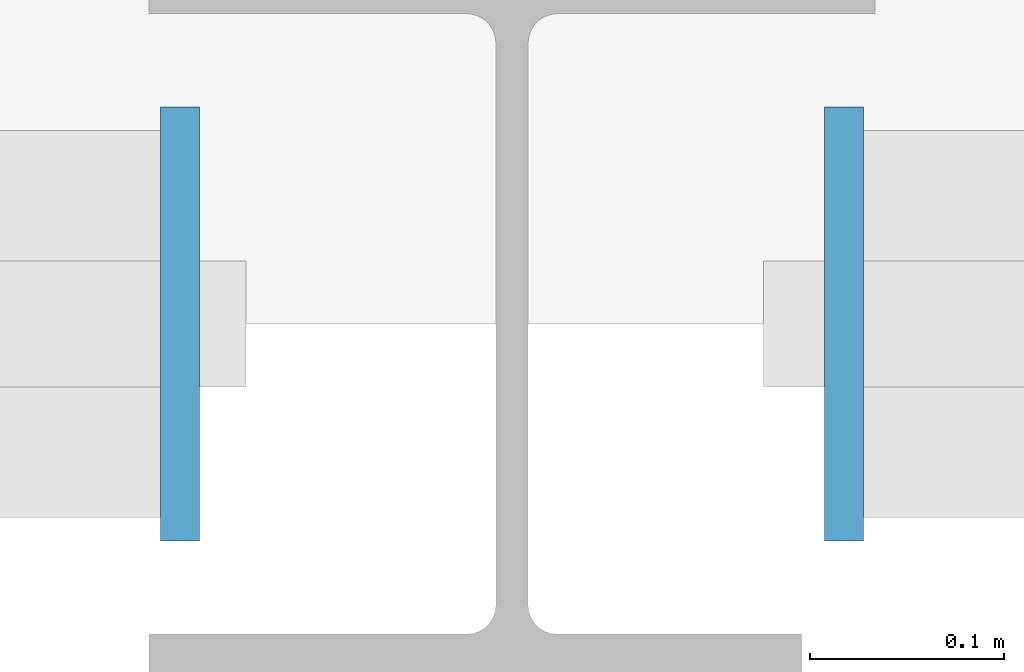
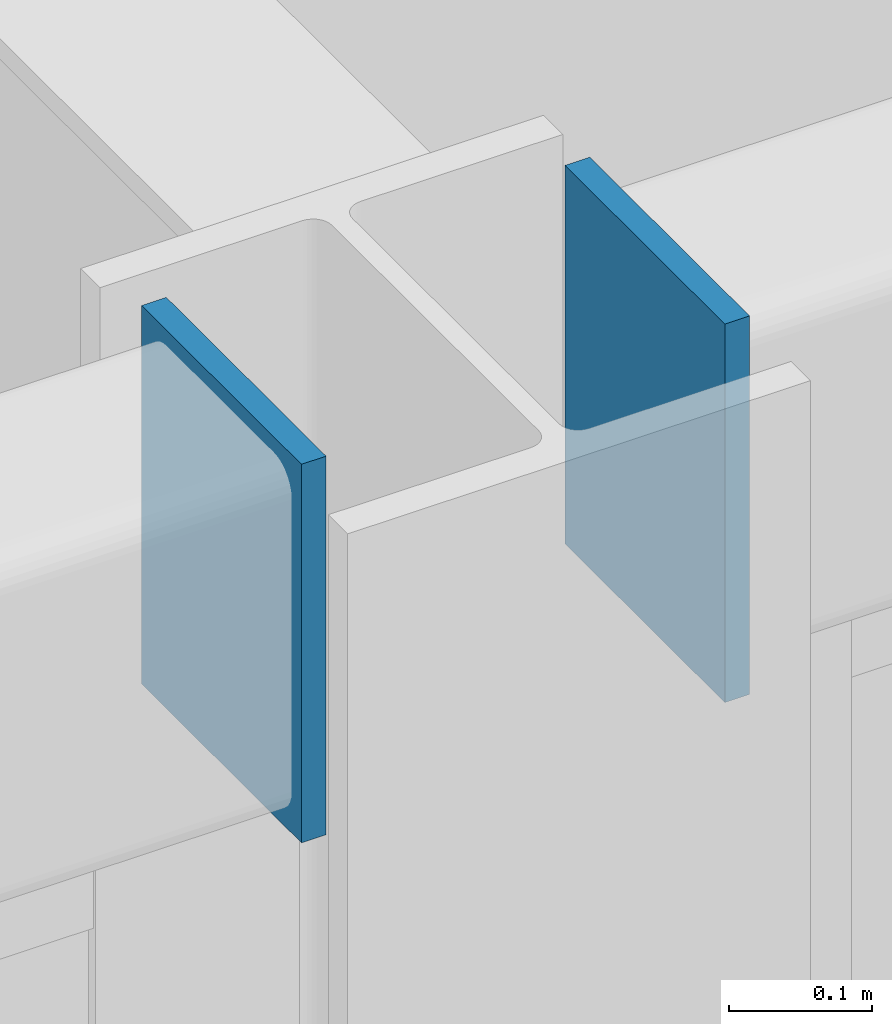
# One storey, part 80 of 96: 2 discrete accessories.
"""IFC4 building model written with IfcOpenShell, lengths in metres."""

from ifc_helpers import new_model, si_unit, direction, frame, origin, origin_2d, place, context, subcontext, project, spatial, rectangle, extrude, material, layer, layer_set, type_object, element, save


model = new_model("IFC4")

# Units and contexts
model_context = context("Model", 3, precision=1e-05, world=origin(), true_north=direction((0.0, 1.0)))
body_context = subcontext(model_context, "Body", "Model", "MODEL_VIEW")
ifc_project = project(units=[si_unit("LENGTHUNIT", "METRE"), si_unit("AREAUNIT", "SQUARE_METRE"), si_unit("VOLUMEUNIT", "CUBIC_METRE"), si_unit("PLANEANGLEUNIT", "RADIAN"), si_unit("MASSUNIT", "GRAM", prefix="KILO")], contexts=[model_context])

# Site, building, storey
site_placement = place(None, origin())
site = spatial("IfcSite", under=ifc_project, at=site_placement, CompositionType="ELEMENT")
building_placement = place(site_placement, origin())
building = spatial("IfcBuilding", under=site, at=building_placement, Name="Kranzveld Transit Interchange", CompositionType="ELEMENT")
storey_placement = place(building_placement, frame((0.0, 0.0, 9.52001953125)))
storey = spatial("IfcBuildingStorey", under=building, at=storey_placement, Name="L02", CompositionType="ELEMENT", Elevation=9.52001953125)

# Discrete accessories
ifc_material = material(Name="Steel S355JR", Category="steel")
ifc_layer = layer(ifc_material, 0.02001953125)
ifc_layer_set = layer_set([ifc_layer], Name="Steel S355JR")
discrete_accessory_type = type_object("IfcDiscreteAccessoryType", Name="Hollow Section End Cap Bracket 20 S355JR", PredefinedType="BRACKET", material=ifc_layer_set)
for number, where, z_axis, x_axis, name in (
    (1, (125.818603515625, 96.0, 3.419921875), (1.0, 0.0, 0.0), (0.0, 1.0, 0.0), "Hollow Section End Cap SP-RHS300-2"),
    (2, (126.181396484375, 96.0, 3.419921875), (-1.0, 0.0, 0.0), (0.0, -1.0, 0.0), "Hollow Section End Cap SP-RHS300-1"),
):
    element("IfcDiscreteAccessory", number, at=place(storey_placement, frame(where, z_axis=z_axis, x_axis=x_axis)), inside=storey, type_object=discrete_accessory_type, Name=name, PredefinedType="BRACKET", context=body_context, shape_type="SweptSolid", body=[
        extrude(rectangle(XDim=0.22412109375, YDim=0.323974609375, at=origin_2d()), origin(), (0.0, 0.0, 1.0), 0.02001953125),
    ])

save(model, "model.ifc")
